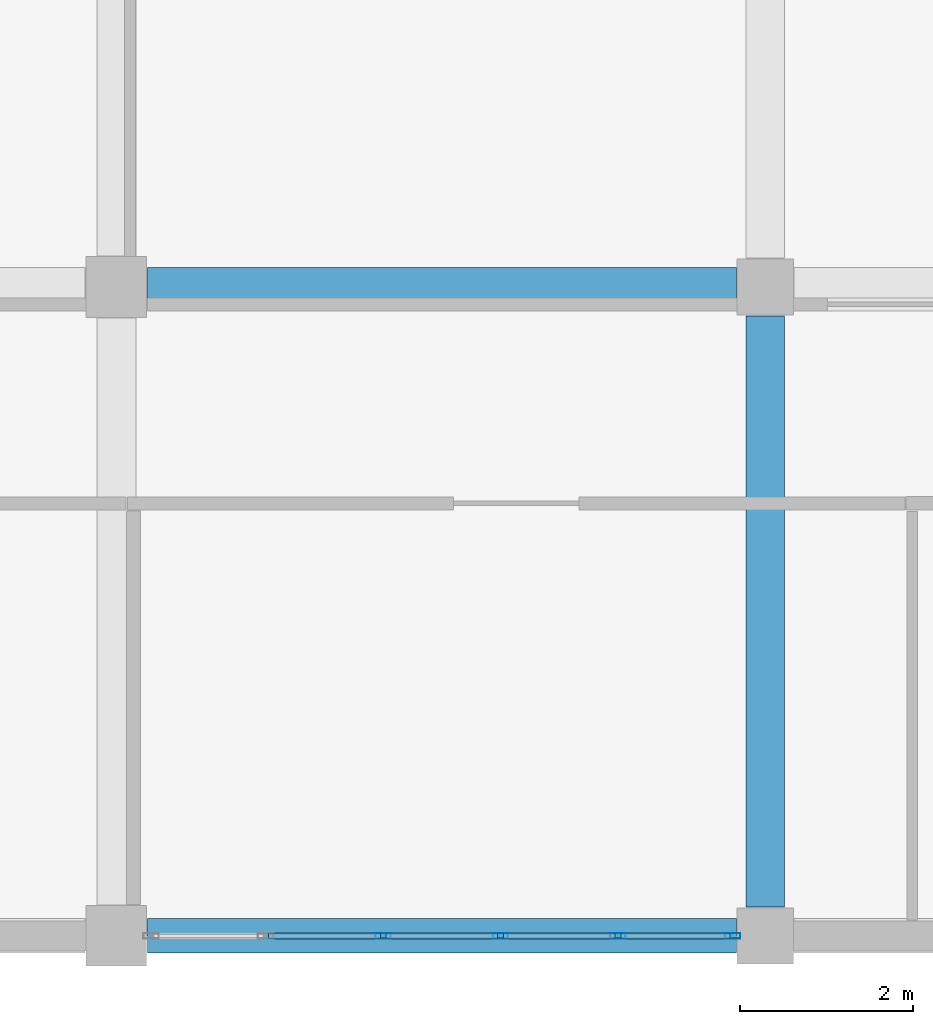
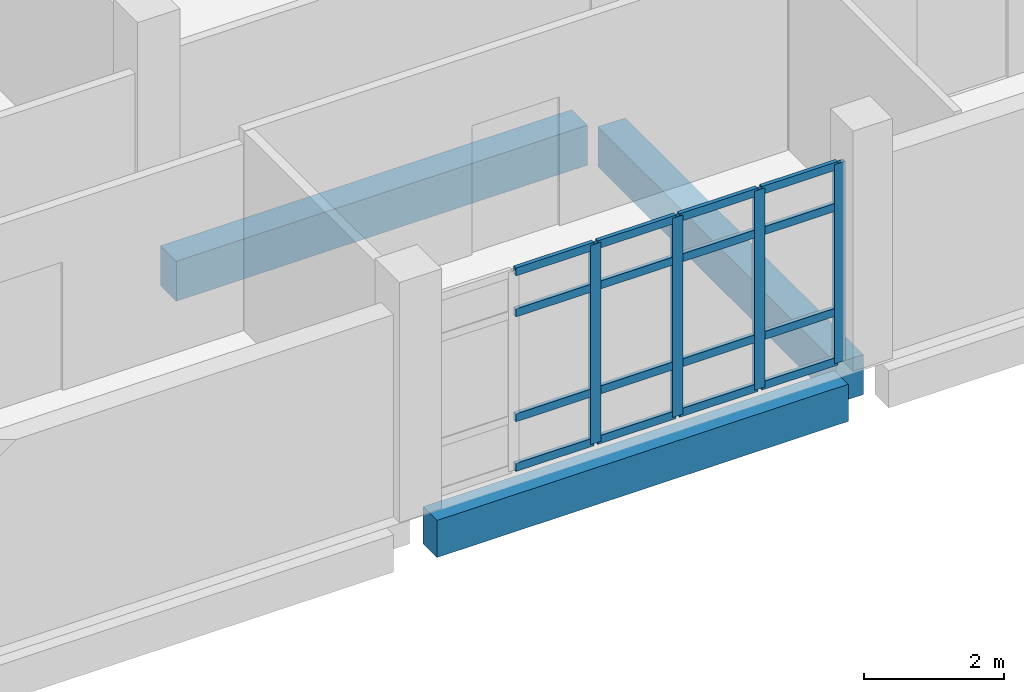
# One storey, part 29 of 164: 20 members, 3 beams, 1 element without a shape of its own.
"""IFC4 building model written with IfcOpenShell, lengths in metres."""

from ifc_helpers import new_model, si_unit, direction, frame, origin, origin_2d, place, context, subcontext, project, spatial, rectangle, hollow_rectangle, extrude, material, layer, layer_set, material_profile, profile_set, type_object, element, aggregate, save


model = new_model("IFC4")

# Units and contexts
model_context = context("Model", 3, precision=1e-05, world=origin(), true_north=direction((0.0, 1.0)))
body_context = subcontext(model_context, "Body", "Model", "MODEL_VIEW")
ifc_project = project(units=[si_unit("LENGTHUNIT", "METRE"), si_unit("AREAUNIT", "SQUARE_METRE"), si_unit("VOLUMEUNIT", "CUBIC_METRE"), si_unit("PLANEANGLEUNIT", "RADIAN"), si_unit("MASSUNIT", "GRAM", prefix="KILO")], contexts=[model_context])

# Site, building, storey
site_placement = place(None, origin())
site = spatial("IfcSite", under=ifc_project, at=site_placement, CompositionType="ELEMENT")
building_placement = place(site_placement, origin())
building = spatial("IfcBuilding", under=site, at=building_placement, Name="Mawjan Specialist Oncology Clinic", CompositionType="ELEMENT")
storey_placement = place(building_placement, frame((0.0, 0.0, 5.0)))
storey = spatial("IfcBuildingStorey", under=building, at=storey_placement, Name="L01", CompositionType="ELEMENT", Elevation=5.0)

# Beams
ifc_material_1 = material(Name="Concrete C40/50", Category="concrete")
ifc_material_profile_1 = material_profile(ifc_material_1, rectangle(XDim=0.449951171875, YDim=0.699951171875, at=origin_2d()), Name="RC BM 450x700", Category="concrete")
ifc_profile_set_1 = profile_set([ifc_material_profile_1], Name="Concrete C40/50")
beam_type_1 = type_object("IfcBeamType", Name="BM-450x700", PredefinedType="BEAM", material=ifc_profile_set_1)
beam_1_placement = place(storey_placement, frame((30.360107421875, 8.300048828125, -0.64990234375), z_axis=(1.0, 0.0, 0.0), x_axis=(0.0, 1.0, 0.0)))
element("IfcBeam", 1, at=beam_1_placement, inside=storey, type_object=beam_type_1, Name="L01 Collector Beam BM-L01-0235", PredefinedType="BEAM", context=body_context, shape_type="SweptSolid", body=[
    extrude(rectangle(XDim=0.449951171875, YDim=0.699951171875, at=origin_2d()), origin(), (0.0, 0.0, 1.0), 6.804931640625),
])
beam_2_placement = place(storey_placement, frame((37.5, 1.135009765625, -0.64990234375), z_axis=(0.0, 1.0, 0.0), x_axis=(-1.0, 0.0, 0.0)))
element("IfcBeam", 2, at=beam_2_placement, inside=storey, type_object=beam_type_1, Name="L01 Collector Beam BM-L01-0462", PredefinedType="BEAM", context=body_context, shape_type="SweptSolid", body=[
    extrude(rectangle(XDim=0.449951171875, YDim=0.699951171875, at=origin_2d()), origin(), (0.0, 0.0, 1.0), 6.830078125),
])

# Curtain wall, members
ifc_material_2 = material(Name="Unitised spectrally selective aluminium curtain wall", Category="aluminium")
ifc_layer = layer(ifc_material_2, 0.179931640625, Name="Unitised spectrally selective aluminium curtain wall", Category="aluminium")
ifc_layer_set = layer_set([ifc_layer], Name="Unitised spectrally selective aluminium curtain wall")
curtain_wall_type = type_object("IfcCurtainWallType", Name="CW-72", PredefinedType="NOTDEFINED", material=ifc_layer_set)
curtain_wall_placement = place(storey_placement, origin())
curtain_wall = element("IfcCurtainWall", 3, at=curtain_wall_placement, inside=storey, type_object=curtain_wall_type, Name="L01 Unitised Curtain Wall CW-L01-142", PredefinedType="NOTDEFINED")
ifc_material_3 = material(Name="Thermally broken aluminium 6063-T6", Category="aluminium")
ifc_material_profile_2 = material_profile(ifc_material_3, hollow_rectangle(XDim=0.06494140625, YDim=0.179931640625, WallThickness=0.00390625, at=origin_2d()), Name="ALU MULLION 180x65x4", Category="aluminium")
ifc_profile_set_2 = profile_set([ifc_material_profile_2], Name="Thermally broken aluminium 6063-T6")
member_type_1 = type_object("IfcMemberType", Name="CW-M180", PredefinedType="MULLION", material=ifc_profile_set_2)
member_1_placement = place(storey_placement, frame((37.12255859375, 0.800048828125, 0.0), z_axis=(0.0, 0.0, 1.0), x_axis=(0.0, -1.0, 0.0)))
member_1 = element("IfcMember", 4, at=member_1_placement, type_object=member_type_1, Name="CW-72 mullion 1", PredefinedType="MULLION", context=body_context, shape_type="SweptSolid", body=[
    extrude(hollow_rectangle(XDim=0.06494140625, YDim=0.179931640625, WallThickness=0.00390625, at=origin_2d()), origin(), (0.0, 0.0, 1.0), 3.485107421875),
])
member_2_placement = place(storey_placement, frame((35.798095703125, 0.800048828125, 0.0), z_axis=(0.0, 0.0, 1.0), x_axis=(0.0, -1.0, 0.0)))
member_2 = element("IfcMember", 5, at=member_2_placement, type_object=member_type_1, Name="CW-72 mullion 2", PredefinedType="MULLION", context=body_context, shape_type="SweptSolid", body=[
    extrude(hollow_rectangle(XDim=0.06494140625, YDim=0.179931640625, WallThickness=0.00390625, at=origin_2d()), origin(), (0.0, 0.0, 1.0), 3.485107421875),
])
member_3_placement = place(storey_placement, frame((34.44091796875, 0.800048828125, 0.0), z_axis=(0.0, 0.0, 1.0), x_axis=(0.0, -1.0, 0.0)))
member_3 = element("IfcMember", 6, at=member_3_placement, type_object=member_type_1, Name="CW-72 mullion 3", PredefinedType="MULLION", context=body_context, shape_type="SweptSolid", body=[
    extrude(hollow_rectangle(XDim=0.06494140625, YDim=0.179931640625, WallThickness=0.00390625, at=origin_2d()), origin(), (0.0, 0.0, 1.0), 3.485107421875),
])
member_4_placement = place(storey_placement, frame((33.083984375, 0.800048828125, 0.0), z_axis=(0.0, 0.0, 1.0), x_axis=(0.0, -1.0, 0.0)))
member_4 = element("IfcMember", 7, at=member_4_placement, type_object=member_type_1, Name="CW-72 mullion 4", PredefinedType="MULLION", context=body_context, shape_type="SweptSolid", body=[
    extrude(hollow_rectangle(XDim=0.06494140625, YDim=0.179931640625, WallThickness=0.00390625, at=origin_2d()), origin(), (0.0, 0.0, 1.0), 3.485107421875),
])
ifc_material_4 = material(Name="Thermally broken aluminium 6063-T6", Category="aluminium")
ifc_material_profile_3 = material_profile(ifc_material_4, hollow_rectangle(XDim=0.06494140625, YDim=0.139892578125, WallThickness=0.00390625, at=origin_2d()), Name="ALU TRANSOM 140x65x4", Category="aluminium")
ifc_profile_set_3 = profile_set([ifc_material_profile_3], Name="Thermally broken aluminium 6063-T6")
member_type_2 = type_object("IfcMemberType", Name="CW-T140", PredefinedType="USERDEFINED", material=ifc_profile_set_3)
member_5_placement = place(storey_placement, frame((37.090087890625, 0.800048828125, 0.032470703125), z_axis=(-1.0, 0.0, 0.0), x_axis=(0.0, -1.0, 0.0)))
member_5 = element("IfcMember", 8, at=member_5_placement, type_object=member_type_2, Name="CW-72 transom 1.1", ObjectType="TRANSOM", PredefinedType="USERDEFINED", context=body_context, shape_type="SweptSolid", body=[
    extrude(hollow_rectangle(XDim=0.06494140625, YDim=0.139892578125, WallThickness=0.00390625, at=origin_2d()), origin(), (0.0, 0.0, 1.0), 1.259521484375),
])
member_6_placement = place(storey_placement, frame((37.090087890625, 0.800048828125, 0.89990234375), z_axis=(-1.0, 0.0, 0.0), x_axis=(0.0, -1.0, 0.0)))
member_6 = element("IfcMember", 9, at=member_6_placement, type_object=member_type_2, Name="CW-72 transom 1.2", ObjectType="TRANSOM", PredefinedType="USERDEFINED", context=body_context, shape_type="SweptSolid", body=[
    extrude(hollow_rectangle(XDim=0.06494140625, YDim=0.139892578125, WallThickness=0.00390625, at=origin_2d()), origin(), (0.0, 0.0, 1.0), 1.259521484375),
])
member_7_placement = place(storey_placement, frame((37.090087890625, 0.800048828125, 2.735107421875), z_axis=(-1.0, 0.0, 0.0), x_axis=(0.0, -1.0, 0.0)))
member_7 = element("IfcMember", 10, at=member_7_placement, type_object=member_type_2, Name="CW-72 transom 1.3", ObjectType="TRANSOM", PredefinedType="USERDEFINED", context=body_context, shape_type="SweptSolid", body=[
    extrude(hollow_rectangle(XDim=0.06494140625, YDim=0.139892578125, WallThickness=0.00390625, at=origin_2d()), origin(), (0.0, 0.0, 1.0), 1.259521484375),
])
member_8_placement = place(storey_placement, frame((37.090087890625, 0.800048828125, 3.452392578125), z_axis=(-1.0, 0.0, 0.0), x_axis=(0.0, -1.0, 0.0)))
member_8 = element("IfcMember", 11, at=member_8_placement, type_object=member_type_2, Name="CW-72 transom 1.4", ObjectType="TRANSOM", PredefinedType="USERDEFINED", context=body_context, shape_type="SweptSolid", body=[
    extrude(hollow_rectangle(XDim=0.06494140625, YDim=0.139892578125, WallThickness=0.00390625, at=origin_2d()), origin(), (0.0, 0.0, 1.0), 1.259521484375),
])
member_9_placement = place(storey_placement, frame((35.765380859375, 0.800048828125, 0.032470703125), z_axis=(-1.0, 0.0, 0.0), x_axis=(0.0, -1.0, 0.0)))
member_9 = element("IfcMember", 12, at=member_9_placement, type_object=member_type_2, Name="CW-72 transom 2.1", ObjectType="TRANSOM", PredefinedType="USERDEFINED", context=body_context, shape_type="SweptSolid", body=[
    extrude(hollow_rectangle(XDim=0.06494140625, YDim=0.139892578125, WallThickness=0.00390625, at=origin_2d()), origin(), (0.0, 0.0, 1.0), 1.2919921875),
])
member_10_placement = place(storey_placement, frame((35.765380859375, 0.800048828125, 0.89990234375), z_axis=(-1.0, 0.0, 0.0), x_axis=(0.0, -1.0, 0.0)))
member_10 = element("IfcMember", 13, at=member_10_placement, type_object=member_type_2, Name="CW-72 transom 2.2", ObjectType="TRANSOM", PredefinedType="USERDEFINED", context=body_context, shape_type="SweptSolid", body=[
    extrude(hollow_rectangle(XDim=0.06494140625, YDim=0.139892578125, WallThickness=0.00390625, at=origin_2d()), origin(), (0.0, 0.0, 1.0), 1.2919921875),
])
member_11_placement = place(storey_placement, frame((35.765380859375, 0.800048828125, 2.735107421875), z_axis=(-1.0, 0.0, 0.0), x_axis=(0.0, -1.0, 0.0)))
member_11 = element("IfcMember", 14, at=member_11_placement, type_object=member_type_2, Name="CW-72 transom 2.3", ObjectType="TRANSOM", PredefinedType="USERDEFINED", context=body_context, shape_type="SweptSolid", body=[
    extrude(hollow_rectangle(XDim=0.06494140625, YDim=0.139892578125, WallThickness=0.00390625, at=origin_2d()), origin(), (0.0, 0.0, 1.0), 1.2919921875),
])
member_12_placement = place(storey_placement, frame((35.765380859375, 0.800048828125, 3.452392578125), z_axis=(-1.0, 0.0, 0.0), x_axis=(0.0, -1.0, 0.0)))
member_12 = element("IfcMember", 15, at=member_12_placement, type_object=member_type_2, Name="CW-72 transom 2.4", ObjectType="TRANSOM", PredefinedType="USERDEFINED", context=body_context, shape_type="SweptSolid", body=[
    extrude(hollow_rectangle(XDim=0.06494140625, YDim=0.139892578125, WallThickness=0.00390625, at=origin_2d()), origin(), (0.0, 0.0, 1.0), 1.2919921875),
])
member_13_placement = place(storey_placement, frame((34.408447265625, 0.800048828125, 0.032470703125), z_axis=(-1.0, 0.0, 0.0), x_axis=(0.0, -1.0, 0.0)))
member_13 = element("IfcMember", 16, at=member_13_placement, type_object=member_type_2, Name="CW-72 transom 3.1", ObjectType="TRANSOM", PredefinedType="USERDEFINED", context=body_context, shape_type="SweptSolid", body=[
    extrude(hollow_rectangle(XDim=0.06494140625, YDim=0.139892578125, WallThickness=0.00390625, at=origin_2d()), origin(), (0.0, 0.0, 1.0), 1.2919921875),
])
member_14_placement = place(storey_placement, frame((34.408447265625, 0.800048828125, 0.89990234375), z_axis=(-1.0, 0.0, 0.0), x_axis=(0.0, -1.0, 0.0)))
member_14 = element("IfcMember", 17, at=member_14_placement, type_object=member_type_2, Name="CW-72 transom 3.2", ObjectType="TRANSOM", PredefinedType="USERDEFINED", context=body_context, shape_type="SweptSolid", body=[
    extrude(hollow_rectangle(XDim=0.06494140625, YDim=0.139892578125, WallThickness=0.00390625, at=origin_2d()), origin(), (0.0, 0.0, 1.0), 1.2919921875),
])
member_15_placement = place(storey_placement, frame((34.408447265625, 0.800048828125, 2.735107421875), z_axis=(-1.0, 0.0, 0.0), x_axis=(0.0, -1.0, 0.0)))
member_15 = element("IfcMember", 18, at=member_15_placement, type_object=member_type_2, Name="CW-72 transom 3.3", ObjectType="TRANSOM", PredefinedType="USERDEFINED", context=body_context, shape_type="SweptSolid", body=[
    extrude(hollow_rectangle(XDim=0.06494140625, YDim=0.139892578125, WallThickness=0.00390625, at=origin_2d()), origin(), (0.0, 0.0, 1.0), 1.2919921875),
])
member_16_placement = place(storey_placement, frame((34.408447265625, 0.800048828125, 3.452392578125), z_axis=(-1.0, 0.0, 0.0), x_axis=(0.0, -1.0, 0.0)))
member_16 = element("IfcMember", 19, at=member_16_placement, type_object=member_type_2, Name="CW-72 transom 3.4", ObjectType="TRANSOM", PredefinedType="USERDEFINED", context=body_context, shape_type="SweptSolid", body=[
    extrude(hollow_rectangle(XDim=0.06494140625, YDim=0.139892578125, WallThickness=0.00390625, at=origin_2d()), origin(), (0.0, 0.0, 1.0), 1.2919921875),
])
member_17_placement = place(storey_placement, frame((33.051513671875, 0.800048828125, 0.032470703125), z_axis=(-1.0, 0.0, 0.0), x_axis=(0.0, -1.0, 0.0)))
member_17 = element("IfcMember", 20, at=member_17_placement, type_object=member_type_2, Name="CW-72 transom 4.1", ObjectType="TRANSOM", PredefinedType="USERDEFINED", context=body_context, shape_type="SweptSolid", body=[
    extrude(hollow_rectangle(XDim=0.06494140625, YDim=0.139892578125, WallThickness=0.00390625, at=origin_2d()), origin(), (0.0, 0.0, 1.0), 1.2919921875),
])
member_18_placement = place(storey_placement, frame((33.051513671875, 0.800048828125, 0.89990234375), z_axis=(-1.0, 0.0, 0.0), x_axis=(0.0, -1.0, 0.0)))
member_18 = element("IfcMember", 21, at=member_18_placement, type_object=member_type_2, Name="CW-72 transom 4.2", ObjectType="TRANSOM", PredefinedType="USERDEFINED", context=body_context, shape_type="SweptSolid", body=[
    extrude(hollow_rectangle(XDim=0.06494140625, YDim=0.139892578125, WallThickness=0.00390625, at=origin_2d()), origin(), (0.0, 0.0, 1.0), 1.2919921875),
])
member_19_placement = place(storey_placement, frame((33.051513671875, 0.800048828125, 2.735107421875), z_axis=(-1.0, 0.0, 0.0), x_axis=(0.0, -1.0, 0.0)))
member_19 = element("IfcMember", 22, at=member_19_placement, type_object=member_type_2, Name="CW-72 transom 4.3", ObjectType="TRANSOM", PredefinedType="USERDEFINED", context=body_context, shape_type="SweptSolid", body=[
    extrude(hollow_rectangle(XDim=0.06494140625, YDim=0.139892578125, WallThickness=0.00390625, at=origin_2d()), origin(), (0.0, 0.0, 1.0), 1.2919921875),
])
member_20_placement = place(storey_placement, frame((33.051513671875, 0.800048828125, 3.452392578125), z_axis=(-1.0, 0.0, 0.0), x_axis=(0.0, -1.0, 0.0)))
member_20 = element("IfcMember", 23, at=member_20_placement, type_object=member_type_2, Name="CW-72 transom 4.4", ObjectType="TRANSOM", PredefinedType="USERDEFINED", context=body_context, shape_type="SweptSolid", body=[
    extrude(hollow_rectangle(XDim=0.06494140625, YDim=0.139892578125, WallThickness=0.00390625, at=origin_2d()), origin(), (0.0, 0.0, 1.0), 1.2919921875),
])
aggregate(curtain_wall, [member_1, member_2, member_3, member_4, member_5, member_6, member_7, member_8, member_9, member_10, member_11, member_12, member_13, member_14, member_15, member_16, member_17, member_18, member_19, member_20])

# Beam
ifc_material_5 = material(Name="Concrete C45/55", Category="concrete")
ifc_material_profile_4 = material_profile(ifc_material_5, rectangle(XDim=0.39990234375, YDim=0.64990234375, at=origin_2d()), Name="RC BM 400x650", Category="concrete")
ifc_profile_set_4 = profile_set([ifc_material_profile_4], Name="Concrete C45/55")
beam_type_2 = type_object("IfcBeamType", Name="SP-400x650", PredefinedType="SPANDREL", material=ifc_profile_set_4)
beam_3_placement = place(storey_placement, frame((30.360107421875, 0.800048828125, -0.625), z_axis=(1.0, 0.0, 0.0), x_axis=(0.0, 1.0, 0.0)))
element("IfcBeam", 24, at=beam_3_placement, inside=storey, type_object=beam_type_2, Name="L01 Spandrel Beam BM-L01-0229", PredefinedType="SPANDREL", context=body_context, shape_type="SweptSolid", body=[
    extrude(rectangle(XDim=0.39990234375, YDim=0.64990234375, at=origin_2d()), origin(), (0.0, 0.0, 1.0), 6.804931640625),
])

save(model, "model.ifc")
